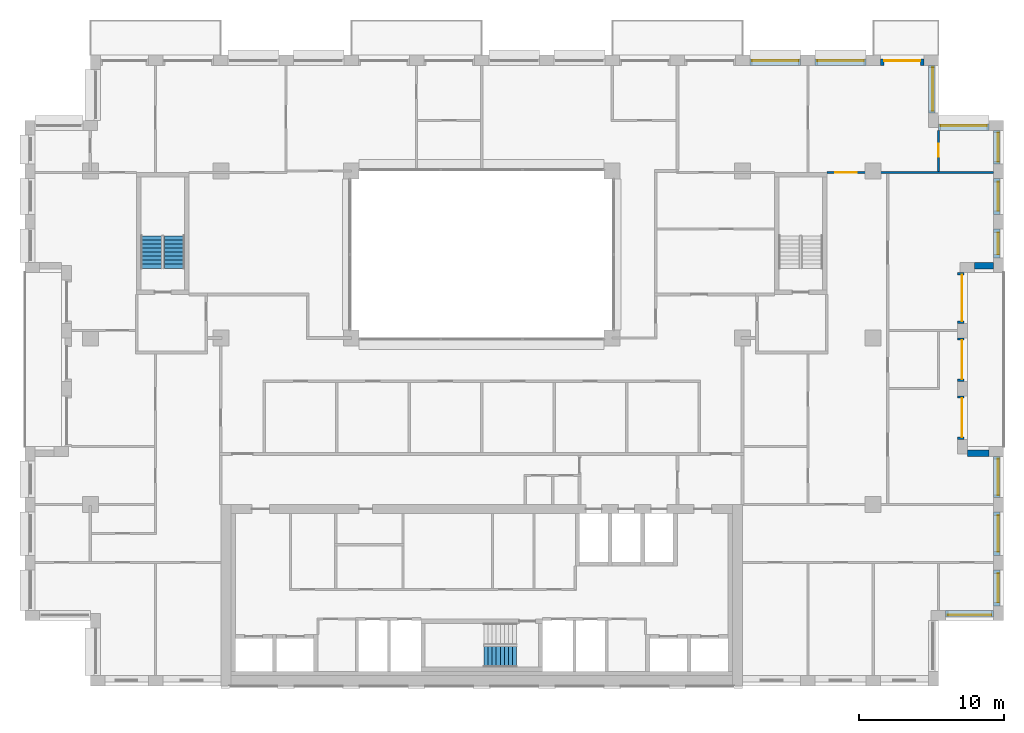
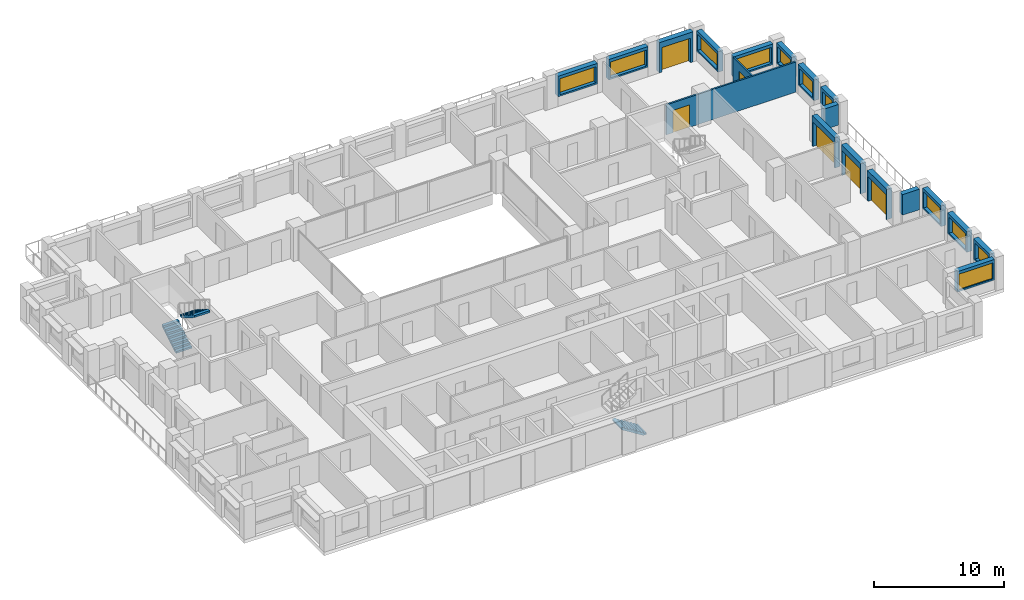
# One storey, part 14 of 16: 19 walls, 11 windows, 6 doors, 3 stair flights, 17 openings, 2 elements without a shape of their own.
"""IFC4 building model written with IfcOpenShell, lengths in metres."""

from ifc_helpers import new_model, si_unit, direction, frame, frame_2d, origin, place, context, subcontext, project, spatial, polyline, rectangle, outline, extrude, material, layer, layer_set, type_object, element, fill, aggregate, save


model = new_model("IFC4")

# Units and contexts
model_context = context("Model", 3, precision=1e-05, world=origin(), true_north=direction((0.0, 1.0)))
body_context = subcontext(model_context, "Body", "Model", "MODEL_VIEW")
ifc_project = project(units=[si_unit("LENGTHUNIT", "METRE"), si_unit("AREAUNIT", "SQUARE_METRE"), si_unit("VOLUMEUNIT", "CUBIC_METRE"), si_unit("PLANEANGLEUNIT", "RADIAN"), si_unit("MASSUNIT", "GRAM", prefix="KILO")], contexts=[model_context])

# Site, building, storey
site_placement = place(None, origin())
site = spatial("IfcSite", under=ifc_project, at=site_placement, CompositionType="ELEMENT")
building_placement = place(site_placement, origin())
building = spatial("IfcBuilding", under=site, at=building_placement, Name="Brigalow Station Residences", CompositionType="ELEMENT")
storey_placement = place(building_placement, frame((0.0, 0.0, 169.64990234375)))
storey = spatial("IfcBuildingStorey", under=building, at=storey_placement, Name="L49", CompositionType="ELEMENT", Elevation=169.64990234375)

# Wall, opening, window
ifc_material_1 = material(Name="Clay brick masonry", Category="masonry")
ifc_layer_1 = layer(ifc_material_1, 0.449951171875)
ifc_layer_set_1 = layer_set([ifc_layer_1], Name="BRICK INFILL WALL 450")
wall_type_1 = type_object("IfcWallType", Name="BRICK INFILL WALL 450", PredefinedType="SOLIDWALL", material=ifc_layer_set_1)
wall_1_placement = place(storey_placement, frame((68.0, 4.97509765625, 0.900146484375), z_axis=(0.0, 0.0, 1.0), x_axis=(1.0, 0.0, 0.0)))
wall_1 = element("IfcWall", 1, at=wall_1_placement, inside=storey, type_object=wall_type_1, Name="L49/ewall/W-L49-8", PredefinedType="SOLIDWALL", context=body_context, shape_type="SweptSolid", body=[
    extrude(rectangle(XDim=3.300048828125, YDim=0.449951171875, at=frame_2d((1.64990234375, 0.0))), origin(), (0.0, 0.0, 1.0), 1.929931640625),
])
opening_1_placement = place(wall_1_placement, frame((0.14990234375, 0.0, 0.14990234375)))
opening_1 = element("IfcOpeningElement", 2, at=opening_1_placement, cuts=wall_1, Name="Opening WT-2", PredefinedType="OPENING", context=body_context, shape_type="SweptSolid", body=[
    extrude(rectangle(XDim=3.0, YDim=1.5, at=frame_2d((1.5, 0.75))), frame((0.0, 0.23486328125, 0.0), z_axis=(0.0, -1.0, 0.0), x_axis=(1.0, 0.0, 0.0)), (0.0, 0.0, 1.0), 0.469970703125),
])
ifc_material_2 = material(Name="Anodised aluminium frame with double glazing", Category="aluminium")
window_type_1 = type_object("IfcWindowType", Name="WINDOW 3000x1500", PartitioningType="SINGLE_PANEL", PredefinedType="WINDOW", material=ifc_material_2)
window_1_placement = place(opening_1_placement, origin())
window_1 = element("IfcWindow", 3, at=window_1_placement, inside=storey, type_object=window_type_1, Name="L49/window/W-L49-8", OverallHeight=1.5, OverallWidth=3.0, PartitioningType="SINGLE_PANEL", PredefinedType="WINDOW", context=body_context, shape_type="SweptSolid", body=[
    extrude(rectangle(XDim=3.0, YDim=1.5, at=frame_2d((1.5, 0.75))), frame((0.0, -0.06494140625, 0.0), z_axis=(0.0, -1.0, 0.0), x_axis=(1.0, 0.0, 0.0)), (0.0, 0.0, 1.0), 0.06005859375),
])
fill(opening_1, window_1)

wall_2_placement = place(storey_placement, frame((71.52490234375, 5.5, 0.900146484375), z_axis=(0.0, 0.0, 1.0), x_axis=(0.0, 1.0, 0.0)))
wall_2 = element("IfcWall", 4, at=wall_2_placement, inside=storey, type_object=wall_type_1, Name="L49/ewall/W-L49-9", PredefinedType="SOLIDWALL", context=body_context, shape_type="SweptSolid", body=[
    extrude(rectangle(XDim=2.5, YDim=0.449951171875, at=frame_2d((1.25, 0.0))), origin(), (0.0, 0.0, 1.0), 1.929931640625),
])
opening_2_placement = place(wall_2_placement, frame((0.25, 0.0, 0.14990234375)))
opening_2 = element("IfcOpeningElement", 5, at=opening_2_placement, cuts=wall_2, Name="Opening WT-7", PredefinedType="OPENING", context=body_context, shape_type="SweptSolid", body=[
    extrude(rectangle(XDim=2.0, YDim=1.5, at=frame_2d((1.0, 0.75))), frame((0.0, 0.23486328125, 0.0), z_axis=(0.0, -1.0, 0.0), x_axis=(1.0, 0.0, 0.0)), (0.0, 0.0, 1.0), 0.469970703125),
])
ifc_material_3 = material(Name="Anodised aluminium frame with double glazing", Category="aluminium")
window_type_2 = type_object("IfcWindowType", Name="WINDOW 2000x1500", PartitioningType="SINGLE_PANEL", PredefinedType="WINDOW", material=ifc_material_3)
window_2_placement = place(opening_2_placement, origin())
window_2 = element("IfcWindow", 6, at=window_2_placement, inside=storey, type_object=window_type_2, Name="L49/window/W-L49-9", OverallHeight=1.5, OverallWidth=2.0, PartitioningType="SINGLE_PANEL", PredefinedType="WINDOW", context=body_context, shape_type="SweptSolid", body=[
    extrude(rectangle(XDim=2.0, YDim=1.5, at=frame_2d((1.0, 0.75))), frame((0.0, -0.06494140625, 0.0), z_axis=(0.0, -1.0, 0.0), x_axis=(1.0, 0.0, 0.0)), (0.0, 0.0, 1.0), 0.06005859375),
])
fill(opening_2, window_2)

wall_3_placement = place(storey_placement, frame((71.52490234375, 9.0, 0.900146484375), z_axis=(0.0, 0.0, 1.0), x_axis=(0.0, 1.0, 0.0)))
wall_3 = element("IfcWall", 7, at=wall_3_placement, inside=storey, type_object=wall_type_1, Name="L49/ewall/W-L49-10", PredefinedType="SOLIDWALL", context=body_context, shape_type="SweptSolid", body=[
    extrude(rectangle(XDim=3.0, YDim=0.449951171875, at=frame_2d((1.5, 0.0))), origin(), (0.0, 0.0, 1.0), 1.929931640625),
])
opening_3_placement = place(wall_3_placement, frame((0.25, 0.0, 0.14990234375)))
opening_3 = element("IfcOpeningElement", 8, at=opening_3_placement, cuts=wall_3, Name="Opening WT-5", PredefinedType="OPENING", context=body_context, shape_type="SweptSolid", body=[
    extrude(rectangle(XDim=2.5, YDim=1.5, at=frame_2d((1.25, 0.75))), frame((0.0, 0.23486328125, 0.0), z_axis=(0.0, -1.0, 0.0), x_axis=(1.0, 0.0, 0.0)), (0.0, 0.0, 1.0), 0.469970703125),
])
ifc_material_4 = material(Name="Anodised aluminium frame with double glazing", Category="aluminium")
window_type_3 = type_object("IfcWindowType", Name="WINDOW 2500x1500", PartitioningType="SINGLE_PANEL", PredefinedType="WINDOW", material=ifc_material_4)
window_3_placement = place(opening_3_placement, origin())
window_3 = element("IfcWindow", 9, at=window_3_placement, inside=storey, type_object=window_type_3, Name="L49/window/W-L49-10", OverallHeight=1.5, OverallWidth=2.5, PartitioningType="SINGLE_PANEL", PredefinedType="WINDOW", context=body_context, shape_type="SweptSolid", body=[
    extrude(rectangle(XDim=2.5, YDim=1.5, at=frame_2d((1.25, 0.75))), frame((0.0, -0.06494140625, 0.0), z_axis=(0.0, -1.0, 0.0), x_axis=(1.0, 0.0, 0.0)), (0.0, 0.0, 1.0), 0.06005859375),
])
fill(opening_3, window_3)

wall_4_placement = place(storey_placement, frame((71.52490234375, 13.0, 0.900146484375), z_axis=(0.0, 0.0, 1.0), x_axis=(0.0, 1.0, 0.0)))
wall_4 = element("IfcWall", 10, at=wall_4_placement, inside=storey, type_object=wall_type_1, Name="L49/ewall/W-L49-11", PredefinedType="SOLIDWALL", context=body_context, shape_type="SweptSolid", body=[
    extrude(rectangle(XDim=2.800048828125, YDim=0.449951171875, at=frame_2d((1.39990234375, 0.0))), origin(), (0.0, 0.0, 1.0), 1.929931640625),
])
opening_4_placement = place(wall_4_placement, frame((0.14990234375, 0.0, 0.14990234375)))
opening_4 = element("IfcOpeningElement", 11, at=opening_4_placement, cuts=wall_4, Name="Opening WT-5", PredefinedType="OPENING", context=body_context, shape_type="SweptSolid", body=[
    extrude(rectangle(XDim=2.5, YDim=1.5, at=frame_2d((1.25, 0.75))), frame((0.0, 0.23486328125, 0.0), z_axis=(0.0, -1.0, 0.0), x_axis=(1.0, 0.0, 0.0)), (0.0, 0.0, 1.0), 0.469970703125),
])
window_4_placement = place(opening_4_placement, origin())
window_4 = element("IfcWindow", 12, at=window_4_placement, inside=storey, type_object=window_type_3, Name="L49/window/W-L49-11", OverallHeight=1.5, OverallWidth=2.5, PartitioningType="SINGLE_PANEL", PredefinedType="WINDOW", context=body_context, shape_type="SweptSolid", body=[
    extrude(rectangle(XDim=2.5, YDim=1.5, at=frame_2d((1.25, 0.75))), frame((0.0, -0.06494140625, 0.0), z_axis=(0.0, -1.0, 0.0), x_axis=(1.0, 0.0, 0.0)), (0.0, 0.0, 1.0), 0.06005859375),
])
fill(opening_4, window_4)

# Wall
wall_5_placement = place(storey_placement, frame((71.0, 16.02490234375, 0.900146484375), z_axis=(0.0, 0.0, 1.0), x_axis=(-1.0, 0.0, 0.0)))
element("IfcWall", 13, at=wall_5_placement, inside=storey, type_object=wall_type_1, Name="L49/ewall/W-L49-12", PredefinedType="SOLIDWALL", context=body_context, shape_type="SweptSolid", body=[
    extrude(rectangle(XDim=1.5, YDim=0.449951171875, at=frame_2d((0.75, 0.0))), origin(), (0.0, 0.0, 1.0), 1.929931640625),
])

# Wall, opening, door
wall_6_placement = place(storey_placement, frame((69.02490234375, 17.0, 0.0), z_axis=(0.0, 0.0, 1.0), x_axis=(0.0, 1.0, 0.0)))
wall_6 = element("IfcWall", 14, at=wall_6_placement, inside=storey, type_object=wall_type_1, Name="L49/ewall/W-L49-13", PredefinedType="SOLIDWALL", context=body_context, shape_type="SweptSolid", body=[
    extrude(rectangle(XDim=3.0, YDim=0.449951171875, at=frame_2d((1.5, 0.0))), origin(), (0.0, 0.0, 1.0), 2.830078125),
])
opening_5_placement = place(wall_6_placement, frame((0.14990234375, 0.0, 0.0)))
opening_5 = element("IfcOpeningElement", 15, at=opening_5_placement, cuts=wall_6, Name="Opening D-B2700", PredefinedType="OPENING", context=body_context, shape_type="SweptSolid", body=[
    extrude(rectangle(XDim=2.699951171875, YDim=2.300048828125, at=frame_2d((1.35009765625, 1.14990234375))), frame((0.0, 0.23486328125, 0.0), z_axis=(0.0, -1.0, 0.0), x_axis=(1.0, 0.0, 0.0)), (0.0, 0.0, 1.0), 0.469970703125),
])
ifc_material_5 = material(Name="Anodised aluminium frame with double glazing", Category="aluminium")
door_type_1 = type_object("IfcDoorType", Name="BALCONY SLIDING DOOR 2700x2300", OperationType="SLIDING_TO_LEFT", PredefinedType="DOOR", material=ifc_material_5)
door_1_placement = place(opening_5_placement, origin())
door_1 = element("IfcDoor", 16, at=door_1_placement, inside=storey, type_object=door_type_1, Name="L49/balcony-door/W-L49-13", OperationType="SLIDING_TO_LEFT", OverallHeight=2.300048828125, OverallWidth=2.699951171875, PredefinedType="DOOR", context=body_context, shape_type="SweptSolid", body=[
    extrude(rectangle(XDim=2.699951171875, YDim=2.300048828125, at=frame_2d((1.35009765625, 1.14990234375))), frame((0.0, -0.06982421875, 0.0), z_axis=(0.0, -1.0, 0.0), x_axis=(1.0, 0.0, 0.0)), (0.0, 0.0, 1.0), 0.050048828125),
])
fill(opening_5, door_1)

wall_7_placement = place(storey_placement, frame((69.02490234375, 21.0, 0.0), z_axis=(0.0, 0.0, 1.0), x_axis=(0.0, 1.0, 0.0)))
wall_7 = element("IfcWall", 17, at=wall_7_placement, inside=storey, type_object=wall_type_1, Name="L49/ewall/W-L49-14", PredefinedType="SOLIDWALL", context=body_context, shape_type="SweptSolid", body=[
    extrude(rectangle(XDim=3.0, YDim=0.449951171875, at=frame_2d((1.5, 0.0))), origin(), (0.0, 0.0, 1.0), 2.830078125),
])
opening_6_placement = place(wall_7_placement, frame((0.14990234375, 0.0, 0.0)))
opening_6 = element("IfcOpeningElement", 18, at=opening_6_placement, cuts=wall_7, Name="Opening D-B2700", PredefinedType="OPENING", context=body_context, shape_type="SweptSolid", body=[
    extrude(rectangle(XDim=2.699951171875, YDim=2.300048828125, at=frame_2d((1.35009765625, 1.14990234375))), frame((0.0, 0.23486328125, 0.0), z_axis=(0.0, -1.0, 0.0), x_axis=(1.0, 0.0, 0.0)), (0.0, 0.0, 1.0), 0.469970703125),
])
door_2_placement = place(opening_6_placement, origin())
door_2 = element("IfcDoor", 19, at=door_2_placement, inside=storey, type_object=door_type_1, Name="L49/balcony-door/W-L49-14", OperationType="SLIDING_TO_LEFT", OverallHeight=2.300048828125, OverallWidth=2.699951171875, PredefinedType="DOOR", context=body_context, shape_type="SweptSolid", body=[
    extrude(rectangle(XDim=2.699951171875, YDim=2.300048828125, at=frame_2d((1.35009765625, 1.14990234375))), frame((0.0, -0.06982421875, 0.0), z_axis=(0.0, -1.0, 0.0), x_axis=(1.0, 0.0, 0.0)), (0.0, 0.0, 1.0), 0.050048828125),
])
fill(opening_6, door_2)

wall_8_placement = place(storey_placement, frame((69.02490234375, 25.0, 0.0), z_axis=(0.0, 0.0, 1.0), x_axis=(0.0, 1.0, 0.0)))
wall_8 = element("IfcWall", 20, at=wall_8_placement, inside=storey, type_object=wall_type_1, Name="L49/ewall/W-L49-15", PredefinedType="SOLIDWALL", context=body_context, shape_type="SweptSolid", body=[
    extrude(rectangle(XDim=3.5, YDim=0.449951171875, at=frame_2d((1.75, 0.0))), origin(), (0.0, 0.0, 1.0), 2.830078125),
])
opening_7_placement = place(wall_8_placement, frame((0.14990234375, 0.0, 0.0)))
opening_7 = element("IfcOpeningElement", 21, at=opening_7_placement, cuts=wall_8, Name="Opening D-B3200", PredefinedType="OPENING", context=body_context, shape_type="SweptSolid", body=[
    extrude(rectangle(XDim=3.199951171875, YDim=2.300048828125, at=frame_2d((1.60009765625, 1.14990234375))), frame((0.0, 0.23486328125, 0.0), z_axis=(0.0, -1.0, 0.0), x_axis=(1.0, 0.0, 0.0)), (0.0, 0.0, 1.0), 0.469970703125),
])
ifc_material_6 = material(Name="Anodised aluminium frame with double glazing", Category="aluminium")
door_type_2 = type_object("IfcDoorType", Name="BALCONY SLIDING DOOR 3200x2300", OperationType="SLIDING_TO_LEFT", PredefinedType="DOOR", material=ifc_material_6)
door_3_placement = place(opening_7_placement, origin())
door_3 = element("IfcDoor", 22, at=door_3_placement, inside=storey, type_object=door_type_2, Name="L49/balcony-door/W-L49-15", OperationType="SLIDING_TO_LEFT", OverallHeight=2.300048828125, OverallWidth=3.199951171875, PredefinedType="DOOR", context=body_context, shape_type="SweptSolid", body=[
    extrude(rectangle(XDim=3.199951171875, YDim=2.300048828125, at=frame_2d((1.60009765625, 1.14990234375))), frame((0.0, -0.06982421875, 0.0), z_axis=(0.0, -1.0, 0.0), x_axis=(1.0, 0.0, 0.0)), (0.0, 0.0, 1.0), 0.050048828125),
])
fill(opening_7, door_3)

# Wall
wall_9_placement = place(storey_placement, frame((70.0, 28.97509765625, 0.900146484375), z_axis=(0.0, 0.0, 1.0), x_axis=(1.0, 0.0, 0.0)))
element("IfcWall", 23, at=wall_9_placement, inside=storey, type_object=wall_type_1, Name="L49/ewall/W-L49-16", PredefinedType="SOLIDWALL", context=body_context, shape_type="SweptSolid", body=[
    extrude(rectangle(XDim=1.300048828125, YDim=0.449951171875, at=frame_2d((0.64990234375, 0.0))), origin(), (0.0, 0.0, 1.0), 1.929931640625),
])

# Wall, opening, window
wall_10_placement = place(storey_placement, frame((71.52490234375, 29.5, 0.900146484375), z_axis=(0.0, 0.0, 1.0), x_axis=(0.0, 1.0, 0.0)))
wall_10 = element("IfcWall", 24, at=wall_10_placement, inside=storey, type_object=wall_type_1, Name="L49/ewall/W-L49-17", PredefinedType="SOLIDWALL", context=body_context, shape_type="SweptSolid", body=[
    extrude(rectangle(XDim=2.0, YDim=0.449951171875, at=frame_2d((1.0, 0.0))), origin(), (0.0, 0.0, 1.0), 1.929931640625),
])
opening_8_placement = place(wall_10_placement, frame((0.25, 0.0, 0.14990234375)))
opening_8 = element("IfcOpeningElement", 25, at=opening_8_placement, cuts=wall_10, Name="Opening WT-1", PredefinedType="OPENING", context=body_context, shape_type="SweptSolid", body=[
    extrude(rectangle(XDim=1.5, YDim=1.5, at=frame_2d((0.75, 0.75))), frame((0.0, 0.23486328125, 0.0), z_axis=(0.0, -1.0, 0.0), x_axis=(1.0, 0.0, 0.0)), (0.0, 0.0, 1.0), 0.469970703125),
])
ifc_material_7 = material(Name="Anodised aluminium frame with double glazing", Category="aluminium")
window_type_4 = type_object("IfcWindowType", Name="WINDOW 1500x1500", PartitioningType="SINGLE_PANEL", PredefinedType="WINDOW", material=ifc_material_7)
window_5_placement = place(opening_8_placement, origin())
window_5 = element("IfcWindow", 26, at=window_5_placement, inside=storey, type_object=window_type_4, Name="L49/window/W-L49-17", OverallHeight=1.5, OverallWidth=1.5, PartitioningType="SINGLE_PANEL", PredefinedType="WINDOW", context=body_context, shape_type="SweptSolid", body=[
    extrude(rectangle(XDim=1.5, YDim=1.5, at=frame_2d((0.75, 0.75))), frame((0.0, -0.06494140625, 0.0), z_axis=(0.0, -1.0, 0.0), x_axis=(1.0, 0.0, 0.0)), (0.0, 0.0, 1.0), 0.06005859375),
])
fill(opening_8, window_5)

wall_11_placement = place(storey_placement, frame((71.52490234375, 32.5, 0.900146484375), z_axis=(0.0, 0.0, 1.0), x_axis=(0.0, 1.0, 0.0)))
wall_11 = element("IfcWall", 27, at=wall_11_placement, inside=storey, type_object=wall_type_1, Name="L49/ewall/W-L49-18", PredefinedType="SOLIDWALL", context=body_context, shape_type="SweptSolid", body=[
    extrude(rectangle(XDim=2.5, YDim=0.449951171875, at=frame_2d((1.25, 0.0))), origin(), (0.0, 0.0, 1.0), 1.929931640625),
])
opening_9_placement = place(wall_11_placement, frame((0.25, 0.0, 0.14990234375)))
opening_9 = element("IfcOpeningElement", 28, at=opening_9_placement, cuts=wall_11, Name="Opening WT-7", PredefinedType="OPENING", context=body_context, shape_type="SweptSolid", body=[
    extrude(rectangle(XDim=2.0, YDim=1.5, at=frame_2d((1.0, 0.75))), frame((0.0, 0.23486328125, 0.0), z_axis=(0.0, -1.0, 0.0), x_axis=(1.0, 0.0, 0.0)), (0.0, 0.0, 1.0), 0.469970703125),
])
window_6_placement = place(opening_9_placement, origin())
window_6 = element("IfcWindow", 29, at=window_6_placement, inside=storey, type_object=window_type_2, Name="L49/window/W-L49-18", OverallHeight=1.5, OverallWidth=2.0, PartitioningType="SINGLE_PANEL", PredefinedType="WINDOW", context=body_context, shape_type="SweptSolid", body=[
    extrude(rectangle(XDim=2.0, YDim=1.5, at=frame_2d((1.0, 0.75))), frame((0.0, -0.06494140625, 0.0), z_axis=(0.0, -1.0, 0.0), x_axis=(1.0, 0.0, 0.0)), (0.0, 0.0, 1.0), 0.06005859375),
])
fill(opening_9, window_6)

wall_12_placement = place(storey_placement, frame((71.52490234375, 36.0, 0.900146484375), z_axis=(0.0, 0.0, 1.0), x_axis=(0.0, 1.0, 0.0)))
wall_12 = element("IfcWall", 30, at=wall_12_placement, inside=storey, type_object=wall_type_1, Name="L49/ewall/W-L49-19", PredefinedType="SOLIDWALL", context=body_context, shape_type="SweptSolid", body=[
    extrude(rectangle(XDim=2.300048828125, YDim=0.449951171875, at=frame_2d((1.14990234375, 0.0))), origin(), (0.0, 0.0, 1.0), 1.929931640625),
])
opening_10_placement = place(wall_12_placement, frame((0.14990234375, 0.0, 0.14990234375)))
opening_10 = element("IfcOpeningElement", 31, at=opening_10_placement, cuts=wall_12, Name="Opening WT-7", PredefinedType="OPENING", context=body_context, shape_type="SweptSolid", body=[
    extrude(rectangle(XDim=2.0, YDim=1.5, at=frame_2d((1.0, 0.75))), frame((0.0, 0.23486328125, 0.0), z_axis=(0.0, -1.0, 0.0), x_axis=(1.0, 0.0, 0.0)), (0.0, 0.0, 1.0), 0.469970703125),
])
window_7_placement = place(opening_10_placement, origin())
window_7 = element("IfcWindow", 32, at=window_7_placement, inside=storey, type_object=window_type_2, Name="L49/window/W-L49-19", OverallHeight=1.5, OverallWidth=2.0, PartitioningType="SINGLE_PANEL", PredefinedType="WINDOW", context=body_context, shape_type="SweptSolid", body=[
    extrude(rectangle(XDim=2.0, YDim=1.5, at=frame_2d((1.0, 0.75))), frame((0.0, -0.06494140625, 0.0), z_axis=(0.0, -1.0, 0.0), x_axis=(1.0, 0.0, 0.0)), (0.0, 0.0, 1.0), 0.06005859375),
])
fill(opening_10, window_7)

wall_13_placement = place(storey_placement, frame((71.0, 38.52490234375, 0.900146484375), z_axis=(0.0, 0.0, 1.0), x_axis=(-1.0, 0.0, 0.0)))
wall_13 = element("IfcWall", 33, at=wall_13_placement, inside=storey, type_object=wall_type_1, Name="L49/ewall/W-L49-20", PredefinedType="SOLIDWALL", context=body_context, shape_type="SweptSolid", body=[
    extrude(rectangle(XDim=3.5, YDim=0.449951171875, at=frame_2d((1.75, 0.0))), origin(), (0.0, 0.0, 1.0), 1.929931640625),
])
opening_11_placement = place(wall_13_placement, frame((0.14990234375, 0.0, 0.14990234375)))
opening_11 = element("IfcOpeningElement", 34, at=opening_11_placement, cuts=wall_13, Name="Opening WT-9", PredefinedType="OPENING", context=body_context, shape_type="SweptSolid", body=[
    extrude(rectangle(XDim=3.199951171875, YDim=1.5, at=frame_2d((1.60009765625, 0.75))), frame((0.0, 0.23486328125, 0.0), z_axis=(0.0, -1.0, 0.0), x_axis=(1.0, 0.0, 0.0)), (0.0, 0.0, 1.0), 0.469970703125),
])
ifc_material_8 = material(Name="Anodised aluminium frame with double glazing", Category="aluminium")
window_type_5 = type_object("IfcWindowType", Name="WINDOW 3200x1500", PartitioningType="SINGLE_PANEL", PredefinedType="WINDOW", material=ifc_material_8)
window_8_placement = place(opening_11_placement, origin())
window_8 = element("IfcWindow", 35, at=window_8_placement, inside=storey, type_object=window_type_5, Name="L49/window/W-L49-20", OverallHeight=1.5, OverallWidth=3.199951171875, PartitioningType="SINGLE_PANEL", PredefinedType="WINDOW", context=body_context, shape_type="SweptSolid", body=[
    extrude(rectangle(XDim=3.199951171875, YDim=1.5, at=frame_2d((1.60009765625, 0.75))), frame((0.0, -0.06494140625, 0.0), z_axis=(0.0, -1.0, 0.0), x_axis=(1.0, 0.0, 0.0)), (0.0, 0.0, 1.0), 0.06005859375),
])
fill(opening_11, window_8)

wall_14_placement = place(storey_placement, frame((67.02490234375, 39.5, 0.900146484375), z_axis=(0.0, 0.0, 1.0), x_axis=(0.0, 1.0, 0.0)))
wall_14 = element("IfcWall", 36, at=wall_14_placement, inside=storey, type_object=wall_type_1, Name="L49/ewall/W-L49-21", PredefinedType="SOLIDWALL", context=body_context, shape_type="SweptSolid", body=[
    extrude(rectangle(XDim=3.300048828125, YDim=0.449951171875, at=frame_2d((1.64990234375, 0.0))), origin(), (0.0, 0.0, 1.0), 1.929931640625),
])
opening_12_placement = place(wall_14_placement, frame((0.14990234375, 0.0, 0.14990234375)))
opening_12 = element("IfcOpeningElement", 37, at=opening_12_placement, cuts=wall_14, Name="Opening WT-2", PredefinedType="OPENING", context=body_context, shape_type="SweptSolid", body=[
    extrude(rectangle(XDim=3.0, YDim=1.5, at=frame_2d((1.5, 0.75))), frame((0.0, 0.23486328125, 0.0), z_axis=(0.0, -1.0, 0.0), x_axis=(1.0, 0.0, 0.0)), (0.0, 0.0, 1.0), 0.469970703125),
])
window_9_placement = place(opening_12_placement, origin())
window_9 = element("IfcWindow", 38, at=window_9_placement, inside=storey, type_object=window_type_1, Name="L49/window/W-L49-21", OverallHeight=1.5, OverallWidth=3.0, PartitioningType="SINGLE_PANEL", PredefinedType="WINDOW", context=body_context, shape_type="SweptSolid", body=[
    extrude(rectangle(XDim=3.0, YDim=1.5, at=frame_2d((1.5, 0.75))), frame((0.0, -0.06494140625, 0.0), z_axis=(0.0, -1.0, 0.0), x_axis=(1.0, 0.0, 0.0)), (0.0, 0.0, 1.0), 0.06005859375),
])
fill(opening_12, window_9)

# Wall, opening, door
wall_15_placement = place(storey_placement, frame((66.5, 43.02490234375, 0.0), z_axis=(0.0, 0.0, 1.0), x_axis=(-1.0, 0.0, 0.0)))
wall_15 = element("IfcWall", 39, at=wall_15_placement, inside=storey, type_object=wall_type_1, Name="L49/ewall/W-L49-22", PredefinedType="SOLIDWALL", context=body_context, shape_type="SweptSolid", body=[
    extrude(rectangle(XDim=3.0, YDim=0.449951171875, at=frame_2d((1.5, 0.0))), origin(), (0.0, 0.0, 1.0), 2.830078125),
])
opening_13_placement = place(wall_15_placement, frame((0.25, 0.0, 0.0)))
opening_13 = element("IfcOpeningElement", 40, at=opening_13_placement, cuts=wall_15, Name="Opening D-B2500", PredefinedType="OPENING", context=body_context, shape_type="SweptSolid", body=[
    extrude(rectangle(XDim=2.5, YDim=2.300048828125, at=frame_2d((1.25, 1.14990234375))), frame((0.0, 0.23486328125, 0.0), z_axis=(0.0, -1.0, 0.0), x_axis=(1.0, 0.0, 0.0)), (0.0, 0.0, 1.0), 0.469970703125),
])
ifc_material_9 = material(Name="Anodised aluminium frame with double glazing", Category="aluminium")
door_type_3 = type_object("IfcDoorType", Name="BALCONY SLIDING DOOR 2500x2300", OperationType="SLIDING_TO_LEFT", PredefinedType="DOOR", material=ifc_material_9)
door_4_placement = place(opening_13_placement, origin())
door_4 = element("IfcDoor", 41, at=door_4_placement, inside=storey, type_object=door_type_3, Name="L49/balcony-door/W-L49-22", OperationType="SLIDING_TO_LEFT", OverallHeight=2.300048828125, OverallWidth=2.5, PredefinedType="DOOR", context=body_context, shape_type="SweptSolid", body=[
    extrude(rectangle(XDim=2.5, YDim=2.300048828125, at=frame_2d((1.25, 1.14990234375))), frame((0.0, -0.06982421875, 0.0), z_axis=(0.0, -1.0, 0.0), x_axis=(1.0, 0.0, 0.0)), (0.0, 0.0, 1.0), 0.050048828125),
])
fill(opening_13, door_4)

# Wall, opening, window
wall_16_placement = place(storey_placement, frame((62.5, 43.02490234375, 0.900146484375), z_axis=(0.0, 0.0, 1.0), x_axis=(-1.0, 0.0, 0.0)))
wall_16 = element("IfcWall", 42, at=wall_16_placement, inside=storey, type_object=wall_type_1, Name="L49/ewall/W-L49-23", PredefinedType="SOLIDWALL", context=body_context, shape_type="SweptSolid", body=[
    extrude(rectangle(XDim=3.5, YDim=0.449951171875, at=frame_2d((1.75, 0.0))), origin(), (0.0, 0.0, 1.0), 1.929931640625),
])
opening_14_placement = place(wall_16_placement, frame((0.14990234375, 0.0, 0.14990234375)))
opening_14 = element("IfcOpeningElement", 43, at=opening_14_placement, cuts=wall_16, Name="Opening WT-9", PredefinedType="OPENING", context=body_context, shape_type="SweptSolid", body=[
    extrude(rectangle(XDim=3.199951171875, YDim=1.5, at=frame_2d((1.60009765625, 0.75))), frame((0.0, 0.23486328125, 0.0), z_axis=(0.0, -1.0, 0.0), x_axis=(1.0, 0.0, 0.0)), (0.0, 0.0, 1.0), 0.469970703125),
])
window_10_placement = place(opening_14_placement, origin())
window_10 = element("IfcWindow", 44, at=window_10_placement, inside=storey, type_object=window_type_5, Name="L49/window/W-L49-23", OverallHeight=1.5, OverallWidth=3.199951171875, PartitioningType="SINGLE_PANEL", PredefinedType="WINDOW", context=body_context, shape_type="SweptSolid", body=[
    extrude(rectangle(XDim=3.199951171875, YDim=1.5, at=frame_2d((1.60009765625, 0.75))), frame((0.0, -0.06494140625, 0.0), z_axis=(0.0, -1.0, 0.0), x_axis=(1.0, 0.0, 0.0)), (0.0, 0.0, 1.0), 0.06005859375),
])
fill(opening_14, window_10)

wall_17_placement = place(storey_placement, frame((58.0, 43.02490234375, 0.900146484375), z_axis=(0.0, 0.0, 1.0), x_axis=(-1.0, 0.0, 0.0)))
wall_17 = element("IfcWall", 45, at=wall_17_placement, inside=storey, type_object=wall_type_1, Name="L49/ewall/W-L49-24", PredefinedType="SOLIDWALL", context=body_context, shape_type="SweptSolid", body=[
    extrude(rectangle(XDim=3.5, YDim=0.449951171875, at=frame_2d((1.75, 0.0))), origin(), (0.0, 0.0, 1.0), 1.929931640625),
])
opening_15_placement = place(wall_17_placement, frame((0.14990234375, 0.0, 0.14990234375)))
opening_15 = element("IfcOpeningElement", 46, at=opening_15_placement, cuts=wall_17, Name="Opening WT-9", PredefinedType="OPENING", context=body_context, shape_type="SweptSolid", body=[
    extrude(rectangle(XDim=3.199951171875, YDim=1.5, at=frame_2d((1.60009765625, 0.75))), frame((0.0, 0.23486328125, 0.0), z_axis=(0.0, -1.0, 0.0), x_axis=(1.0, 0.0, 0.0)), (0.0, 0.0, 1.0), 0.469970703125),
])
window_11_placement = place(opening_15_placement, origin())
window_11 = element("IfcWindow", 47, at=window_11_placement, inside=storey, type_object=window_type_5, Name="L49/window/W-L49-24", OverallHeight=1.5, OverallWidth=3.199951171875, PartitioningType="SINGLE_PANEL", PredefinedType="WINDOW", context=body_context, shape_type="SweptSolid", body=[
    extrude(rectangle(XDim=3.199951171875, YDim=1.5, at=frame_2d((1.60009765625, 0.75))), frame((0.0, -0.06494140625, 0.0), z_axis=(0.0, -1.0, 0.0), x_axis=(1.0, 0.0, 0.0)), (0.0, 0.0, 1.0), 0.06005859375),
])
fill(opening_15, window_11)

# Wall, opening, door
ifc_material_10 = material(Name="Plasterboard on steel stud partition", Category="steel")
ifc_layer_2 = layer(ifc_material_10, 0.14990234375)
ifc_layer_set_2 = layer_set([ifc_layer_2], Name="FLAT PARTITION 150")
wall_type_2 = type_object("IfcWallType", Name="FLAT PARTITION 150", PredefinedType="PARTITIONING", material=ifc_layer_set_2)
wall_18_placement = place(storey_placement, frame((59.800048828125, 35.39990234375, 0.0), z_axis=(0.0, 0.0, 1.0), x_axis=(1.0, 0.0, 0.0)))
wall_18 = element("IfcWall", 48, at=wall_18_placement, inside=storey, type_object=wall_type_2, Name="PW-3D20", PredefinedType="PARTITIONING", context=body_context, shape_type="SweptSolid", body=[
    extrude(rectangle(XDim=11.5, YDim=0.14990234375, at=frame_2d((5.75, 0.0))), origin(), (0.0, 0.0, 1.0), 2.830078125),
])
opening_16_placement = place(wall_18_placement, frame((0.574951171875, 0.0, 0.0)))
opening_16 = element("IfcOpeningElement", 49, at=opening_16_placement, cuts=wall_18, Name="Opening D-3D23", PredefinedType="OPENING", context=body_context, shape_type="SweptSolid", body=[
    extrude(rectangle(XDim=1.5, YDim=2.10009765625, at=frame_2d((0.75, 1.050048828125))), frame((0.0, 0.0849609375, 0.0), z_axis=(0.0, -1.0, 0.0), x_axis=(1.0, 0.0, 0.0)), (0.0, 0.0, 1.0), 0.169921875),
])
ifc_material_11 = material(Name="Solid-core timber door leaf", Category="wood")
door_type_4 = type_object("IfcDoorType", Name="INTERNAL DOUBLE DOOR 1500 x 2100", OperationType="DOUBLE_DOOR_SINGLE_SWING", PredefinedType="DOOR", material=ifc_material_11)
door_5_placement = place(opening_16_placement, origin())
door_5 = element("IfcDoor", 50, at=door_5_placement, inside=storey, type_object=door_type_4, Name="D-3D23", OperationType="DOUBLE_DOOR_SINGLE_SWING", OverallHeight=2.10009765625, OverallWidth=1.5, PredefinedType="DOOR", context=body_context, shape_type="SweptSolid", body=[
    extrude(rectangle(XDim=1.5, YDim=2.10009765625, at=frame_2d((0.75, 1.050048828125))), frame((0.0, 0.02490234375, 0.0), z_axis=(0.0, -1.0, 0.0), x_axis=(1.0, 0.0, 0.0)), (0.0, 0.0, 1.0), 0.050048828125),
])
fill(opening_16, door_5)

wall_19_placement = place(storey_placement, frame((67.5, 35.47509765625, 0.0), z_axis=(0.0, 0.0, 1.0), x_axis=(0.0, 1.0, 0.0)))
wall_19 = element("IfcWall", 51, at=wall_19_placement, inside=storey, type_object=wall_type_2, Name="PW-3D51", PredefinedType="PARTITIONING", context=body_context, shape_type="SweptSolid", body=[
    extrude(rectangle(XDim=2.824951171875, YDim=0.14990234375, at=frame_2d((1.41259765625, 0.0))), origin(), (0.0, 0.0, 1.0), 2.830078125),
])
opening_17_placement = place(wall_19_placement, frame((1.0, 0.0, 0.0)))
opening_17 = element("IfcOpeningElement", 52, at=opening_17_placement, cuts=wall_19, Name="Opening D-3D24", PredefinedType="OPENING", context=body_context, shape_type="SweptSolid", body=[
    extrude(rectangle(XDim=0.89990234375, YDim=2.10009765625, at=frame_2d((0.449951171875, 1.050048828125))), frame((0.0, 0.0849609375, 0.0), z_axis=(0.0, -1.0, 0.0), x_axis=(1.0, 0.0, 0.0)), (0.0, 0.0, 1.0), 0.169921875),
])
ifc_material_12 = material(Name="Solid-core timber door leaf", Category="wood")
door_type_5 = type_object("IfcDoorType", Name="INTERNAL DOOR 900 x 2100", OperationType="SINGLE_SWING_LEFT", PredefinedType="DOOR", material=ifc_material_12)
door_6_placement = place(opening_17_placement, frame((0.89990234375, 0.0, 0.0), z_axis=(0.0, 0.0, 1.0), x_axis=(-1.0, 0.0, 0.0)))
door_6 = element("IfcDoor", 53, at=door_6_placement, inside=storey, type_object=door_type_5, Name="D-3D24", OperationType="SINGLE_SWING_LEFT", OverallHeight=2.10009765625, OverallWidth=0.89990234375, PredefinedType="DOOR", context=body_context, shape_type="SweptSolid", body=[
    extrude(rectangle(XDim=0.89990234375, YDim=2.10009765625, at=frame_2d((0.449951171875, 1.050048828125))), frame((0.0, 0.02490234375, 0.0), z_axis=(0.0, -1.0, 0.0), x_axis=(1.0, 0.0, 0.0)), (0.0, 0.0, 1.0), 0.050048828125),
])
fill(opening_17, door_6)

# Stair, stair flight
ifc_material_13 = material(Name="Concrete C50", Category="concrete")
stair_type = type_object("IfcStairType", Name="EXIT STAIR 1400 2 FLIGHT", PredefinedType="HALF_TURN_STAIR", material=ifc_material_13)
stair_1_placement = place(storey_placement, origin())
stair_1 = element("IfcStair", 54, at=stair_1_placement, inside=storey, type_object=stair_type, Name="EXIT STAIR S2 L49", PredefinedType="HALF_TURN_STAIR")
ifc_material_14 = material(Name="Concrete C50", Category="concrete")
stair_flight_type = type_object("IfcStairFlightType", Name="STAIR FLIGHT 1400", PredefinedType="STRAIGHT", material=ifc_material_14)
stair_flight_1_placement = place(storey_placement, frame((38.39990234375, 2.0, 0.0), z_axis=(0.0, 0.0, 1.0), x_axis=(-1.0, 0.0, 0.0)))
stair_flight_1 = element("IfcStairFlight", 55, at=stair_flight_1_placement, type_object=stair_flight_type, Name="ST-2 flight 1", NumberOfRisers=9, NumberOfTreads=8, PredefinedType="STRAIGHT", RiserHeight=0.175, TreadLength=0.28, context=body_context, shape_type="SweptSolid", body=[
    extrude(outline(polyline([(0.0, 0.0), (0.0, 0.175048828125), (0.280029296875, 0.175048828125), (0.280029296875, 0.35009765625), (0.56005859375, 0.35009765625), (0.56005859375, 0.52490234375), (0.840087890625, 0.52490234375), (0.840087890625, 0.699951171875), (1.1201171875, 0.699951171875), (1.1201171875, 0.875), (1.39990234375, 0.875), (1.39990234375, 1.050048828125), (1.679931640625, 1.050048828125), (1.679931640625, 1.22509765625), (1.9599609375, 1.22509765625), (1.9599609375, 1.39990234375), (2.239990234375, 1.39990234375), (2.239990234375, 1.574951171875), (2.239990234375, 1.22314453125), (0.28271484375, 0.0), (0.0, 0.0)])), frame((0.0, 0.699951171875, 0.0), z_axis=(0.0, -1.0, 0.0), x_axis=(1.0, 0.0, 0.0)), (0.0, 0.0, 1.0), 1.39990234375),
])
aggregate(stair_1, [stair_flight_1])

# Stair, stair flights
stair_2_placement = place(storey_placement, origin())
stair_2 = element("IfcStair", 56, at=stair_2_placement, inside=storey, type_object=stair_type, Name="EXIT STAIR S1 L49", PredefinedType="HALF_TURN_STAIR")
stair_flight_2_placement = place(storey_placement, frame((13.199951171875, 28.800048828125, 0.0), z_axis=(0.0, 0.0, 1.0), x_axis=(0.0, 1.0, 0.0)))
stair_flight_2 = element("IfcStairFlight", 57, at=stair_flight_2_placement, type_object=stair_flight_type, Name="ST-1 flight 1", NumberOfRisers=9, NumberOfTreads=8, PredefinedType="STRAIGHT", RiserHeight=0.175, TreadLength=0.28, context=body_context, shape_type="SweptSolid", body=[
    extrude(outline(polyline([(0.0, 0.0), (0.0, 0.175048828125), (0.280029296875, 0.175048828125), (0.280029296875, 0.35009765625), (0.56005859375, 0.35009765625), (0.56005859375, 0.52490234375), (0.840087890625, 0.52490234375), (0.840087890625, 0.699951171875), (1.1201171875, 0.699951171875), (1.1201171875, 0.875), (1.39990234375, 0.875), (1.39990234375, 1.050048828125), (1.679931640625, 1.050048828125), (1.679931640625, 1.22509765625), (1.9599609375, 1.22509765625), (1.9599609375, 1.39990234375), (2.239990234375, 1.39990234375), (2.239990234375, 1.574951171875), (2.239990234375, 1.22314453125), (0.28271484375, 0.0), (0.0, 0.0)])), frame((0.0, 0.699951171875, 0.0), z_axis=(0.0, -1.0, 0.0), x_axis=(1.0, 0.0, 0.0)), (0.0, 0.0, 1.0), 1.39990234375),
])
stair_flight_3_placement = place(storey_placement, frame((14.800048828125, 31.0400390625, 1.5751953125), z_axis=(0.0, 0.0, 1.0), x_axis=(0.0, -1.0, 0.0)))
stair_flight_3 = element("IfcStairFlight", 58, at=stair_flight_3_placement, type_object=stair_flight_type, Name="ST-1 flight 2", NumberOfRisers=9, NumberOfTreads=8, PredefinedType="STRAIGHT", RiserHeight=0.175, TreadLength=0.28, context=body_context, shape_type="SweptSolid", body=[
    extrude(outline(polyline([(0.0, 0.0), (0.0, 0.175048828125), (0.280029296875, 0.175048828125), (0.280029296875, 0.35009765625), (0.56005859375, 0.35009765625), (0.56005859375, 0.52490234375), (0.840087890625, 0.52490234375), (0.840087890625, 0.699951171875), (1.1201171875, 0.699951171875), (1.1201171875, 0.875), (1.39990234375, 0.875), (1.39990234375, 1.050048828125), (1.679931640625, 1.050048828125), (1.679931640625, 1.22509765625), (1.9599609375, 1.22509765625), (1.9599609375, 1.39990234375), (2.239990234375, 1.39990234375), (2.239990234375, 1.574951171875), (2.239990234375, 1.22314453125), (0.28271484375, 0.0), (0.0, 0.0)])), frame((0.0, 0.699951171875, 0.0), z_axis=(0.0, -1.0, 0.0), x_axis=(1.0, 0.0, 0.0)), (0.0, 0.0, 1.0), 1.39990234375),
])
aggregate(stair_2, [stair_flight_2, stair_flight_3])

save(model, "model.ifc")
